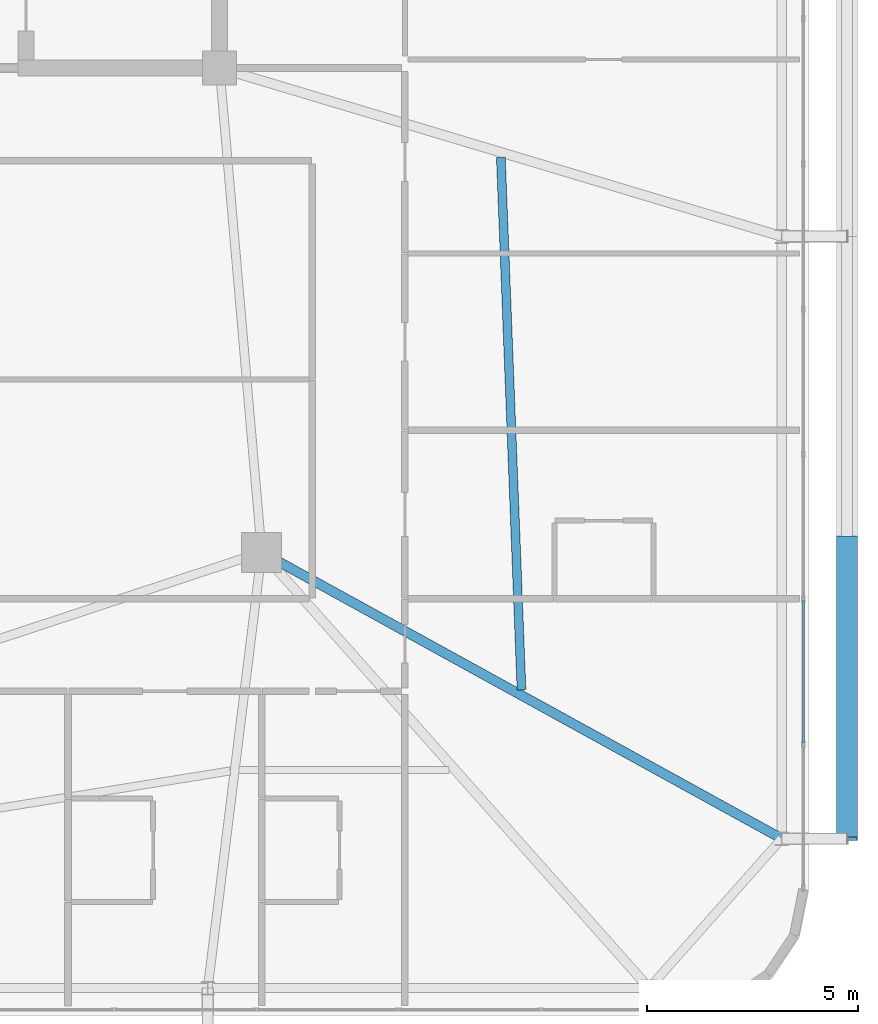
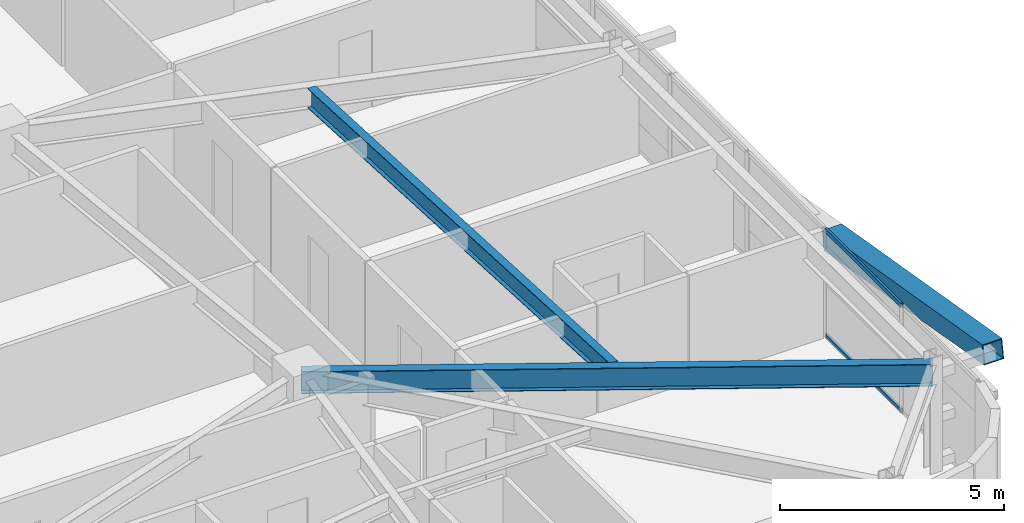
# One storey, part 25 of 59: 3 members, 2 beams, 1 element without a shape of its own.
"""IFC4 building model written with IfcOpenShell, lengths in metres."""

from ifc_helpers import new_model, si_unit, direction, frame, origin, origin_2d, place, context, subcontext, project, spatial, hollow_rectangle, i_section, extrude, source, transform, mapped, material, layer, layer_set, material_profile, profile_set, type_object, element, aggregate, save


model = new_model("IFC4")

# Units and contexts
model_context = context("Model", 3, precision=1e-05, world=origin(), true_north=direction((0.0, 1.0)))
body_context = subcontext(model_context, "Body", "Model", "MODEL_VIEW")
ifc_project = project(units=[si_unit("LENGTHUNIT", "METRE"), si_unit("AREAUNIT", "SQUARE_METRE"), si_unit("VOLUMEUNIT", "CUBIC_METRE"), si_unit("PLANEANGLEUNIT", "RADIAN"), si_unit("MASSUNIT", "GRAM", prefix="KILO")], contexts=[model_context])

# Site, building, storey
site_placement = place(None, origin())
site = spatial("IfcSite", under=ifc_project, at=site_placement, CompositionType="ELEMENT")
building_placement = place(site_placement, origin())
building = spatial("IfcBuilding", under=site, at=building_placement, Name="Taldren Reach Tower", CompositionType="ELEMENT")
storey_placement = place(building_placement, frame((0.0, 0.0, 19.949951171875)))
storey = spatial("IfcBuildingStorey", under=building, at=storey_placement, Name="L05", CompositionType="ELEMENT", Elevation=19.949951171875)

# Beams
ifc_material_1 = material(Name="Steel Gr 350 (350PLUS)", Category="steel")
ifc_material_profile_1 = material_profile(ifc_material_1, i_section(OverallWidth=0.22802734375, OverallDepth=0.60205078125, WebThickness=0.010498046875, FlangeThickness=0.014892578125, at=origin_2d()), Name="610UB101")
ifc_profile_set_1 = profile_set([ifc_material_profile_1], Name="Steel Gr 350 (350PLUS)")
beam_type_1 = type_object("IfcBeamType", Name="BM-UB610B", PredefinedType="BEAM", material=ifc_profile_set_1)
shared_shape_1 = source(origin(), body_context, "Body", "SweptSolid", [
    extrude(i_section(OverallWidth=0.22802734375, OverallDepth=0.60205078125, WebThickness=0.010498046875, FlangeThickness=0.014892578125, at=origin_2d()), origin(), (0.0, 0.0, 1.0), 14.098388671875),
])
beam_1_placement = place(storey_placement, frame((52.0, 12.5, 2.629150390625), z_axis=(0.875991325783, -0.482326857175, 0.0), x_axis=(0.482326857175, 0.875991325783, 0.0)))
element("IfcBeam", 1, at=beam_1_placement, inside=storey, type_object=beam_type_1, Name="Primary floor girder B1-E1 L05", PredefinedType="BEAM", context=body_context, shape_type="MappedRepresentation", body=[
    mapped(shared_shape_1, transform((0.0, 0.0, 0.0), scale=1.0)),
])
ifc_material_profile_2 = material_profile(ifc_material_1, i_section(OverallWidth=0.208984375, OverallDepth=0.532958984375, WebThickness=0.01025390625, FlangeThickness=0.015625, at=origin_2d()), Name="530UB92.4")
ifc_profile_set_2 = profile_set([ifc_material_profile_2], Name="Steel Gr 350 (350PLUS)")
beam_type_2 = type_object("IfcBeamType", Name="BM-UB530A", PredefinedType="BEAM", material=ifc_profile_set_2)
shared_shape_2 = source(origin(), body_context, "Body", "SweptSolid", [
    extrude(i_section(OverallWidth=0.208984375, OverallDepth=0.532958984375, WebThickness=0.01025390625, FlangeThickness=0.015625, at=origin_2d()), origin(), (0.0, 0.0, 1.0), 12.65625),
])
beam_2_placement = place(storey_placement, frame((58.169921875, 9.23291015625, 2.66357421875), z_axis=(-0.0387346395, 0.99924953225, 0.0), x_axis=(-0.99924953225, -0.0387346395, 0.0)))
element("IfcBeam", 2, at=beam_2_placement, inside=storey, type_object=beam_type_2, Name="Secondary floor beam B1 J7 L05", PredefinedType="BEAM", context=body_context, shape_type="MappedRepresentation", body=[
    mapped(shared_shape_2, transform((0.0, 0.0, 0.0), scale=1.0)),
])

# Member
ifc_material_2 = material(Name="Steel Gr 450 (C450L0)", Category="steel")
ifc_material_profile_3 = material_profile(ifc_material_2, hollow_rectangle(XDim=0.510009765625, YDim=0.510009765625, WallThickness=0.02001953125, at=origin_2d()), Name="510x510x20.0SHS")
ifc_profile_set_3 = profile_set([ifc_material_profile_3], Name="Steel Gr 450 (C450L0)")
member_type_1 = type_object("IfcMemberType", Name="MB-EXO508", PredefinedType="BRACE", material=ifc_profile_set_3)
shared_shape_3 = source(origin(), body_context, "Body", "SweptSolid", [
    extrude(hollow_rectangle(XDim=0.510009765625, YDim=0.510009765625, WallThickness=0.02001953125, at=origin_2d()), origin(), (0.0, 0.0, 1.0), 7.252685546875),
])
member_1_placement = place(storey_placement, frame((65.89990234375, 12.85009765625, 1.43505859375), z_axis=(0.0, -0.985865800628, 0.167536930711), x_axis=(1.0, 0.0, 0.0)))
element("IfcMember", 3, at=member_1_placement, inside=storey, type_object=member_type_1, Name="Exoskeleton Diagrid Brace B1-E1 L05", PredefinedType="BRACE", context=body_context, shape_type="MappedRepresentation", body=[
    mapped(shared_shape_3, transform((0.0, 0.0, 0.0), scale=1.0)),
])

# Curtain wall, members
ifc_material_3 = material(Name="Aluminium and Low-E Glass Unitised System", Category="aluminium")
ifc_layer = layer(ifc_material_3, 0.159912109375)
ifc_layer_set = layer_set([ifc_layer], Name="Aluminium and Low-E Glass Unitised System")
curtain_wall_type = type_object("IfcCurtainWallType", Name="CW-SYS-2", PredefinedType="NOTDEFINED", material=ifc_layer_set)
curtain_wall_placement = place(storey_placement, origin())
curtain_wall = element("IfcCurtainWall", 4, at=curtain_wall_placement, inside=storey, type_object=curtain_wall_type, Name="Unitised curtain wall CW-L05-E", PredefinedType="NOTDEFINED")
ifc_material_4 = material(Name="Anodised Aluminium 6063-T6", Category="aluminium")
ifc_material_profile_4 = material_profile(ifc_material_4, hollow_rectangle(XDim=0.054931640625, YDim=0.1201171875, WallThickness=0.0029296875, at=origin_2d()), Name="ALU-120x55x3RHS")
ifc_profile_set_4 = profile_set([ifc_material_profile_4], Name="Anodised Aluminium 6063-T6")
member_type_2 = type_object("IfcMemberType", Name="CW-TRN-135", PredefinedType="USERDEFINED", material=ifc_profile_set_4)
shared_shape_4 = source(origin(), body_context, "Body", "SweptSolid", [
    extrude(hollow_rectangle(XDim=0.054931640625, YDim=0.1201171875, WallThickness=0.0029296875, at=origin_2d()), origin(), (0.0, 0.0, 1.0), 3.37939453125),
])
member_2_placement = place(storey_placement, frame((64.860107421875, 7.97705078125, 0.027587890625), z_axis=(0.0, 1.0, 0.0), x_axis=(-1.0, 0.0, 0.0)))
member_2 = element("IfcMember", 5, at=member_2_placement, type_object=member_type_2, Name="CW-2 transom 2.1", ObjectType="TRANSOM", PredefinedType="USERDEFINED", context=body_context, shape_type="MappedRepresentation", body=[
    mapped(shared_shape_4, transform((0.0, 0.0, 0.0), scale=1.0)),
])
member_3_placement = place(storey_placement, frame((64.860107421875, 7.97705078125, 2.902587890625), z_axis=(0.0, 1.0, 0.0), x_axis=(-1.0, 0.0, 0.0)))
member_3 = element("IfcMember", 6, at=member_3_placement, type_object=member_type_2, Name="CW-2 transom 2.2", ObjectType="TRANSOM", PredefinedType="USERDEFINED", context=body_context, shape_type="MappedRepresentation", body=[
    mapped(shared_shape_4, transform((0.0, 0.0, 0.0), scale=1.0)),
])
aggregate(curtain_wall, [member_2, member_3])

save(model, "model.ifc")
